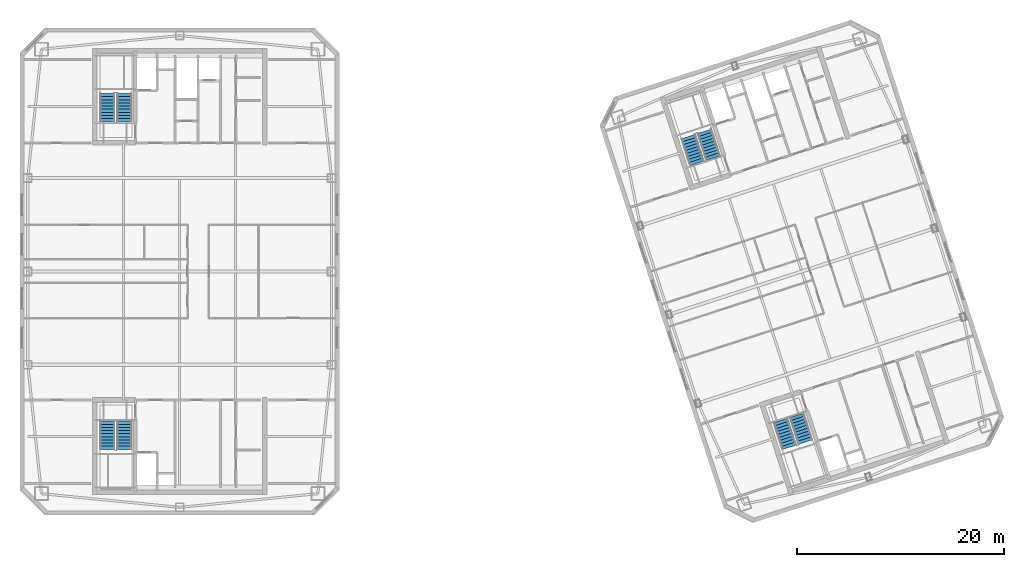
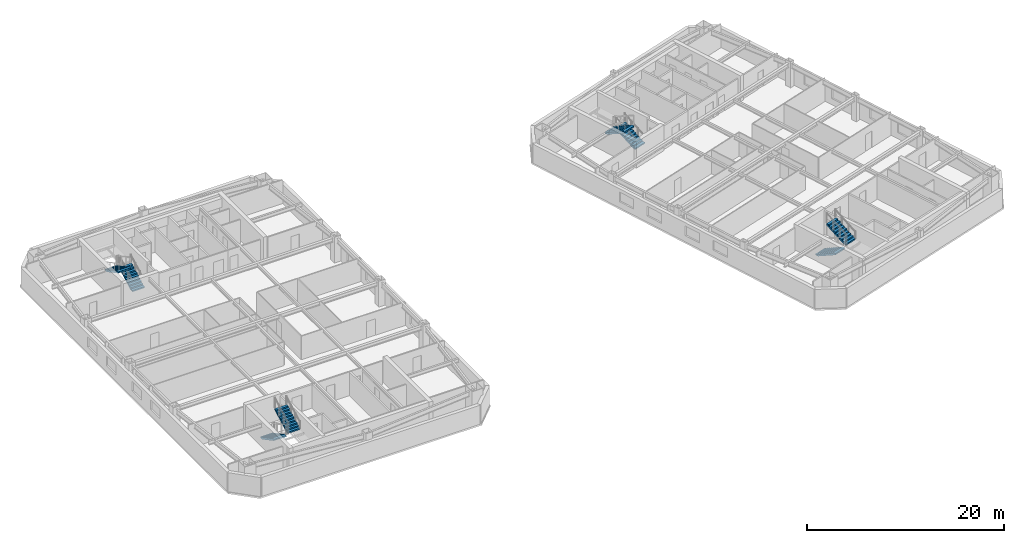
# One storey, part 18 of 20: 8 stair flights, 4 elements without a shape of their own.
"""IFC4 building model written with IfcOpenShell, lengths in metres."""

from ifc_helpers import new_model, si_unit, direction, frame, origin, place, context, subcontext, project, spatial, polyline, outline, extrude, material, type_object, element, aggregate, save


model = new_model("IFC4")

# Units and contexts
model_context = context("Model", 3, precision=1e-05, world=origin(), true_north=direction((0.0, 1.0)))
body_context = subcontext(model_context, "Body", "Model", "MODEL_VIEW")
ifc_project = project(units=[si_unit("LENGTHUNIT", "METRE"), si_unit("AREAUNIT", "SQUARE_METRE"), si_unit("VOLUMEUNIT", "CUBIC_METRE"), si_unit("PLANEANGLEUNIT", "RADIAN"), si_unit("MASSUNIT", "GRAM", prefix="KILO")], contexts=[model_context])

# Site, building, storey
site_placement = place(None, origin())
site = spatial("IfcSite", under=ifc_project, at=site_placement, CompositionType="ELEMENT")
building_placement = place(site_placement, origin())
building = spatial("IfcBuilding", under=site, at=building_placement, Name="Qiaolan Cultural Towers", CompositionType="ELEMENT")
storey_placement = place(building_placement, frame((0.0, 0.0, 244.0)))
storey = spatial("IfcBuildingStorey", under=building, at=storey_placement, Name="L66", CompositionType="ELEMENT", Elevation=244.0)

# Stair, stair flights
ifc_material_1 = material(Name="Concrete C45", Category="concrete")
stair_type = type_object("IfcStairType", Name="STR-CORE-1500", PredefinedType="HALF_TURN_STAIR", material=ifc_material_1)
stair_1_placement = place(storey_placement, origin())
stair_1 = element("IfcStair", 1, at=stair_1_placement, inside=storey, type_object=stair_type, Name="L66 Smokeproof Exit Stair ST-W1", PredefinedType="HALF_TURN_STAIR")
ifc_material_2 = material(Name="Concrete C45", Category="concrete")
stair_flight_type = type_object("IfcStairFlightType", Name="STR-CORE-1500-FL", PredefinedType="STRAIGHT", material=ifc_material_2)
stair_flight_1_placement = place(storey_placement, frame((23.02001953125, 19.550048828125, 0.0), z_axis=(0.0, 0.0, 1.0), x_axis=(0.0, -1.0, 0.0)))
stair_flight_1 = element("IfcStairFlight", 2, at=stair_flight_1_placement, type_object=stair_flight_type, Name="ST-W1 flight 1", NumberOfRisers=10, NumberOfTreads=9, PredefinedType="STRAIGHT", RiserHeight=0.16, TreadLength=0.3, context=body_context, shape_type="SweptSolid", body=[
    extrude(outline(polyline([(0.0, 0.0), (0.0, 0.159912109375), (0.300048828125, 0.159912109375), (0.300048828125, 0.320068359375), (0.60009765625, 0.320068359375), (0.60009765625, 0.47998046875), (0.89990234375, 0.47998046875), (0.89990234375, 0.639892578125), (1.199951171875, 0.639892578125), (1.199951171875, 0.800048828125), (1.5, 0.800048828125), (1.5, 0.9599609375), (1.800048828125, 0.9599609375), (1.800048828125, 1.1201171875), (2.10009765625, 1.1201171875), (2.10009765625, 1.280029296875), (2.39990234375, 1.280029296875), (2.39990234375, 1.43994140625), (2.699951171875, 1.43994140625), (2.699951171875, 1.60009765625), (2.699951171875, 1.27001953125), (0.318603515625, 0.0), (0.0, 0.0)])), frame((0.0, 0.719970703125, 0.0), z_axis=(0.0, -1.0, 0.0), x_axis=(1.0, 0.0, 0.0)), (0.0, 0.0, 1.0), 1.43994140625),
])
stair_flight_2_placement = place(storey_placement, frame((24.659912109375, 16.85009765625, 1.60009765625), z_axis=(0.0, 0.0, 1.0), x_axis=(0.0, 1.0, 0.0)))
stair_flight_2 = element("IfcStairFlight", 3, at=stair_flight_2_placement, type_object=stair_flight_type, Name="ST-W1 flight 2", NumberOfRisers=10, NumberOfTreads=9, PredefinedType="STRAIGHT", RiserHeight=0.16, TreadLength=0.3, context=body_context, shape_type="SweptSolid", body=[
    extrude(outline(polyline([(0.0, 0.0), (0.0, 0.159912109375), (0.300048828125, 0.159912109375), (0.300048828125, 0.320068359375), (0.60009765625, 0.320068359375), (0.60009765625, 0.47998046875), (0.89990234375, 0.47998046875), (0.89990234375, 0.639892578125), (1.199951171875, 0.639892578125), (1.199951171875, 0.800048828125), (1.5, 0.800048828125), (1.5, 0.9599609375), (1.800048828125, 0.9599609375), (1.800048828125, 1.1201171875), (2.10009765625, 1.1201171875), (2.10009765625, 1.280029296875), (2.39990234375, 1.280029296875), (2.39990234375, 1.43994140625), (2.699951171875, 1.43994140625), (2.699951171875, 1.60009765625), (2.699951171875, 1.27001953125), (0.318603515625, 0.0), (0.0, 0.0)])), frame((0.0, 0.719970703125, 0.0), z_axis=(0.0, -1.0, 0.0), x_axis=(1.0, 0.0, 0.0)), (0.0, 0.0, 1.0), 1.43994140625),
])
aggregate(stair_1, [stair_flight_1, stair_flight_2])

stair_2_placement = place(storey_placement, origin())
stair_2 = element("IfcStair", 4, at=stair_2_placement, inside=storey, type_object=stair_type, Name="L66 Smokeproof Exit Stair ST-W2", PredefinedType="HALF_TURN_STAIR")
stair_flight_3_placement = place(storey_placement, frame((24.659912109375, 48.449951171875, 0.0), z_axis=(0.0, 0.0, 1.0), x_axis=(0.0, 1.0, 0.0)))
stair_flight_3 = element("IfcStairFlight", 5, at=stair_flight_3_placement, type_object=stair_flight_type, Name="ST-W2 flight 1", NumberOfRisers=10, NumberOfTreads=9, PredefinedType="STRAIGHT", RiserHeight=0.16, TreadLength=0.3, context=body_context, shape_type="SweptSolid", body=[
    extrude(outline(polyline([(0.0, 0.0), (0.0, 0.159912109375), (0.300048828125, 0.159912109375), (0.300048828125, 0.320068359375), (0.60009765625, 0.320068359375), (0.60009765625, 0.47998046875), (0.89990234375, 0.47998046875), (0.89990234375, 0.639892578125), (1.199951171875, 0.639892578125), (1.199951171875, 0.800048828125), (1.5, 0.800048828125), (1.5, 0.9599609375), (1.800048828125, 0.9599609375), (1.800048828125, 1.1201171875), (2.10009765625, 1.1201171875), (2.10009765625, 1.280029296875), (2.39990234375, 1.280029296875), (2.39990234375, 1.43994140625), (2.699951171875, 1.43994140625), (2.699951171875, 1.60009765625), (2.699951171875, 1.27001953125), (0.318603515625, 0.0), (0.0, 0.0)])), frame((0.0, 0.719970703125, 0.0), z_axis=(0.0, -1.0, 0.0), x_axis=(1.0, 0.0, 0.0)), (0.0, 0.0, 1.0), 1.43994140625),
])
stair_flight_4_placement = place(storey_placement, frame((23.02001953125, 51.14990234375, 1.60009765625), z_axis=(0.0, 0.0, 1.0), x_axis=(0.0, -1.0, 0.0)))
stair_flight_4 = element("IfcStairFlight", 6, at=stair_flight_4_placement, type_object=stair_flight_type, Name="ST-W2 flight 2", NumberOfRisers=10, NumberOfTreads=9, PredefinedType="STRAIGHT", RiserHeight=0.16, TreadLength=0.3, context=body_context, shape_type="SweptSolid", body=[
    extrude(outline(polyline([(0.0, 0.0), (0.0, 0.159912109375), (0.300048828125, 0.159912109375), (0.300048828125, 0.320068359375), (0.60009765625, 0.320068359375), (0.60009765625, 0.47998046875), (0.89990234375, 0.47998046875), (0.89990234375, 0.639892578125), (1.199951171875, 0.639892578125), (1.199951171875, 0.800048828125), (1.5, 0.800048828125), (1.5, 0.9599609375), (1.800048828125, 0.9599609375), (1.800048828125, 1.1201171875), (2.10009765625, 1.1201171875), (2.10009765625, 1.280029296875), (2.39990234375, 1.280029296875), (2.39990234375, 1.43994140625), (2.699951171875, 1.43994140625), (2.699951171875, 1.60009765625), (2.699951171875, 1.27001953125), (0.318603515625, 0.0), (0.0, 0.0)])), frame((0.0, 0.719970703125, 0.0), z_axis=(0.0, -1.0, 0.0), x_axis=(1.0, 0.0, 0.0)), (0.0, 0.0, 1.0), 1.43994140625),
])
aggregate(stair_2, [stair_flight_3, stair_flight_4])

stair_3_placement = place(storey_placement, origin())
stair_3 = element("IfcStair", 7, at=stair_3_placement, inside=storey, type_object=stair_type, Name="L66 Smokeproof Exit Stair ST-E1", PredefinedType="HALF_TURN_STAIR")
stair_flight_5_placement = place(storey_placement, frame((87.96484375, 19.6171875, 0.0), z_axis=(0.0, 0.0, 1.0), x_axis=(0.309016994375, -0.951056516295, 0.0)))
stair_flight_5 = element("IfcStairFlight", 8, at=stair_flight_5_placement, type_object=stair_flight_type, Name="ST-E1 flight 1", NumberOfRisers=10, NumberOfTreads=9, PredefinedType="STRAIGHT", RiserHeight=0.16, TreadLength=0.3, context=body_context, shape_type="SweptSolid", body=[
    extrude(outline(polyline([(0.0, 0.0), (0.0, 0.159912109375), (0.300048828125, 0.159912109375), (0.300048828125, 0.320068359375), (0.60009765625, 0.320068359375), (0.60009765625, 0.47998046875), (0.89990234375, 0.47998046875), (0.89990234375, 0.639892578125), (1.199951171875, 0.639892578125), (1.199951171875, 0.800048828125), (1.5, 0.800048828125), (1.5, 0.9599609375), (1.800048828125, 0.9599609375), (1.800048828125, 1.1201171875), (2.10009765625, 1.1201171875), (2.10009765625, 1.280029296875), (2.39990234375, 1.280029296875), (2.39990234375, 1.43994140625), (2.699951171875, 1.43994140625), (2.699951171875, 1.60009765625), (2.699951171875, 1.27001953125), (0.318603515625, 0.0), (0.0, 0.0)])), frame((0.0, 0.719970703125, 0.0), z_axis=(0.0, -1.0, 0.0), x_axis=(1.0, 0.0, 0.0)), (0.0, 0.0, 1.0), 1.43994140625),
])
stair_flight_6_placement = place(storey_placement, frame((90.359130859375, 17.55615234375, 1.60009765625), z_axis=(0.0, 0.0, 1.0), x_axis=(-0.309016994375, 0.951056516295, 0.0)))
stair_flight_6 = element("IfcStairFlight", 9, at=stair_flight_6_placement, type_object=stair_flight_type, Name="ST-E1 flight 2", NumberOfRisers=10, NumberOfTreads=9, PredefinedType="STRAIGHT", RiserHeight=0.16, TreadLength=0.3, context=body_context, shape_type="SweptSolid", body=[
    extrude(outline(polyline([(0.0, 0.0), (0.0, 0.159912109375), (0.300048828125, 0.159912109375), (0.300048828125, 0.320068359375), (0.60009765625, 0.320068359375), (0.60009765625, 0.47998046875), (0.89990234375, 0.47998046875), (0.89990234375, 0.639892578125), (1.199951171875, 0.639892578125), (1.199951171875, 0.800048828125), (1.5, 0.800048828125), (1.5, 0.9599609375), (1.800048828125, 0.9599609375), (1.800048828125, 1.1201171875), (2.10009765625, 1.1201171875), (2.10009765625, 1.280029296875), (2.39990234375, 1.280029296875), (2.39990234375, 1.43994140625), (2.699951171875, 1.43994140625), (2.699951171875, 1.60009765625), (2.699951171875, 1.27001953125), (0.318603515625, 0.0), (0.0, 0.0)])), frame((0.0, 0.719970703125, 0.0), z_axis=(0.0, -1.0, 0.0), x_axis=(1.0, 0.0, 0.0)), (0.0, 0.0, 1.0), 1.43994140625),
])
aggregate(stair_3, [stair_flight_5, stair_flight_6])

stair_4_placement = place(storey_placement, origin())
stair_4 = element("IfcStair", 10, at=stair_4_placement, inside=storey, type_object=stair_type, Name="L66 Smokeproof Exit Stair ST-E2", PredefinedType="HALF_TURN_STAIR")
stair_flight_7_placement = place(storey_placement, frame((81.459228515625, 44.946533203125, 0.0), z_axis=(0.0, 0.0, 1.0), x_axis=(-0.309016994375, 0.951056516295, 0.0)))
stair_flight_7 = element("IfcStairFlight", 11, at=stair_flight_7_placement, type_object=stair_flight_type, Name="ST-E2 flight 1", NumberOfRisers=10, NumberOfTreads=9, PredefinedType="STRAIGHT", RiserHeight=0.16, TreadLength=0.3, context=body_context, shape_type="SweptSolid", body=[
    extrude(outline(polyline([(0.0, 0.0), (0.0, 0.159912109375), (0.300048828125, 0.159912109375), (0.300048828125, 0.320068359375), (0.60009765625, 0.320068359375), (0.60009765625, 0.47998046875), (0.89990234375, 0.47998046875), (0.89990234375, 0.639892578125), (1.199951171875, 0.639892578125), (1.199951171875, 0.800048828125), (1.5, 0.800048828125), (1.5, 0.9599609375), (1.800048828125, 0.9599609375), (1.800048828125, 1.1201171875), (2.10009765625, 1.1201171875), (2.10009765625, 1.280029296875), (2.39990234375, 1.280029296875), (2.39990234375, 1.43994140625), (2.699951171875, 1.43994140625), (2.699951171875, 1.60009765625), (2.699951171875, 1.27001953125), (0.318603515625, 0.0), (0.0, 0.0)])), frame((0.0, 0.719970703125, 0.0), z_axis=(0.0, -1.0, 0.0), x_axis=(1.0, 0.0, 0.0)), (0.0, 0.0, 1.0), 1.43994140625),
])
stair_flight_8_placement = place(storey_placement, frame((79.065185546875, 47.007568359375, 1.60009765625), z_axis=(0.0, 0.0, 1.0), x_axis=(0.309016994375, -0.951056516295, 0.0)))
stair_flight_8 = element("IfcStairFlight", 12, at=stair_flight_8_placement, type_object=stair_flight_type, Name="ST-E2 flight 2", NumberOfRisers=10, NumberOfTreads=9, PredefinedType="STRAIGHT", RiserHeight=0.16, TreadLength=0.3, context=body_context, shape_type="SweptSolid", body=[
    extrude(outline(polyline([(0.0, 0.0), (0.0, 0.159912109375), (0.300048828125, 0.159912109375), (0.300048828125, 0.320068359375), (0.60009765625, 0.320068359375), (0.60009765625, 0.47998046875), (0.89990234375, 0.47998046875), (0.89990234375, 0.639892578125), (1.199951171875, 0.639892578125), (1.199951171875, 0.800048828125), (1.5, 0.800048828125), (1.5, 0.9599609375), (1.800048828125, 0.9599609375), (1.800048828125, 1.1201171875), (2.10009765625, 1.1201171875), (2.10009765625, 1.280029296875), (2.39990234375, 1.280029296875), (2.39990234375, 1.43994140625), (2.699951171875, 1.43994140625), (2.699951171875, 1.60009765625), (2.699951171875, 1.27001953125), (0.318603515625, 0.0), (0.0, 0.0)])), frame((0.0, 0.719970703125, 0.0), z_axis=(0.0, -1.0, 0.0), x_axis=(1.0, 0.0, 0.0)), (0.0, 0.0, 1.0), 1.43994140625),
])
aggregate(stair_4, [stair_flight_7, stair_flight_8])

save(model, "model.ifc")
